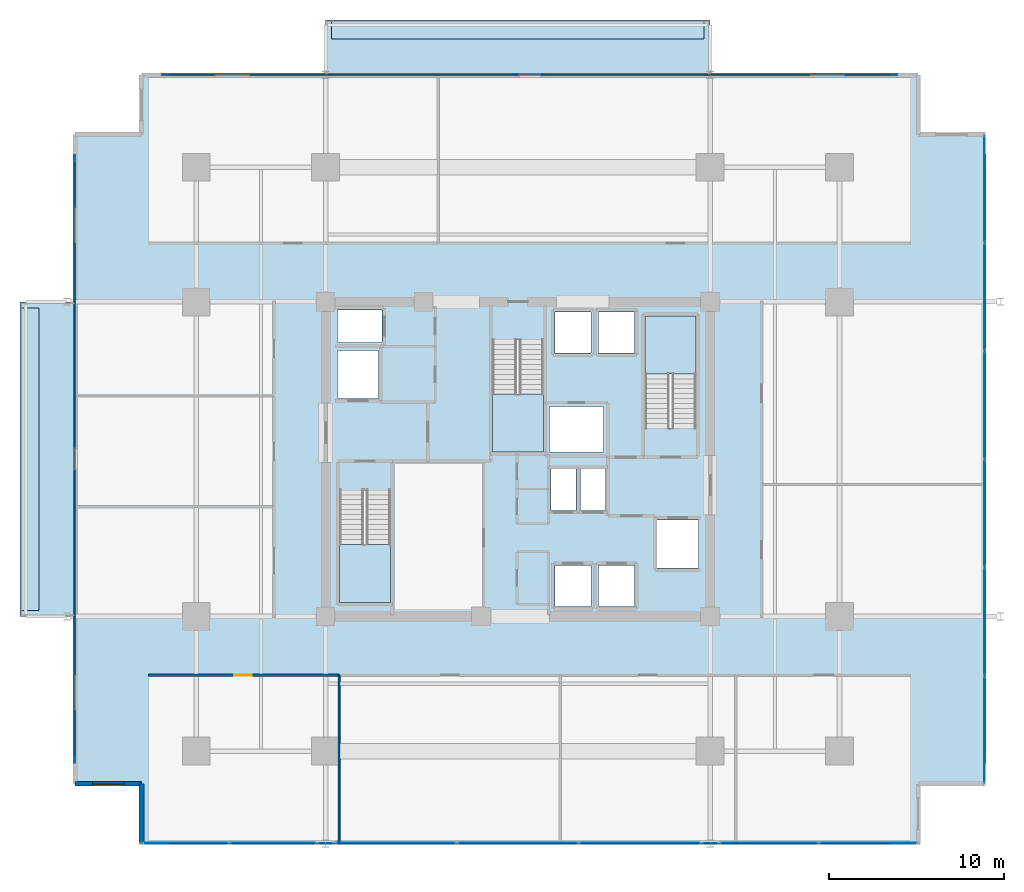
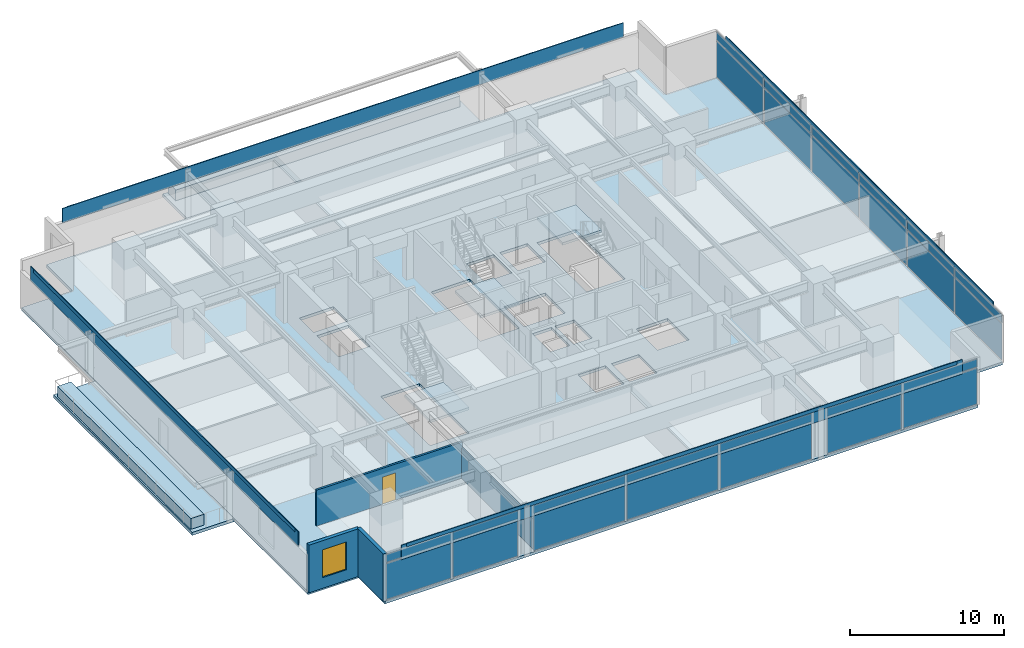
# One storey, part 12 of 20: 34 plates, 8 slabs, 4 walls, 1 door, 1 window, 2 openings, 7 elements without a shape of their own.
"""IFC4 building model written with IfcOpenShell, lengths in metres."""

from ifc_helpers import new_model, si_unit, direction, frame, frame_2d, origin, origin_2d, place, context, subcontext, project, spatial, polyline, rectangle, outline, extrude, material, layer, layer_set, type_object, element, fill, aggregate, save


model = new_model("IFC4")

# Units and contexts
model_context = context("Model", 3, precision=1e-05, world=origin(), true_north=direction((0.0, 1.0)))
body_context = subcontext(model_context, "Body", "Model", "MODEL_VIEW")
ifc_project = project(units=[si_unit("LENGTHUNIT", "METRE"), si_unit("AREAUNIT", "SQUARE_METRE"), si_unit("VOLUMEUNIT", "CUBIC_METRE"), si_unit("PLANEANGLEUNIT", "RADIAN"), si_unit("MASSUNIT", "GRAM", prefix="KILO")], contexts=[model_context])

# Site, building, storey
site_placement = place(None, origin())
site = spatial("IfcSite", under=ifc_project, at=site_placement, CompositionType="ELEMENT")
building_placement = place(site_placement, origin())
building = spatial("IfcBuilding", under=site, at=building_placement, Name="Kovane Verandah Tower", CompositionType="ELEMENT")
storey_placement = place(building_placement, frame((0.0, 0.0, 164.39990234375)))
storey = spatial("IfcBuildingStorey", under=building, at=storey_placement, Name="L38", CompositionType="ELEMENT", Elevation=164.39990234375)

# Curtain wall, plates
ifc_material_1 = material(Name="Champagne Anodised Aluminium Frame with Low-E Clear Laminated Glass", Category="aluminium")
curtain_wall_type = type_object("IfcCurtainWallType", Name="CW-SYS-03-MID", PredefinedType="NOTDEFINED", material=ifc_material_1)
curtain_wall_1_placement = place(storey_placement, origin())
curtain_wall_1 = element("IfcCurtainWall", 1, at=curtain_wall_1_placement, inside=storey, type_object=curtain_wall_type, Name="L38 S Unitised Curtain Wall-1", PredefinedType="NOTDEFINED")
ifc_material_2 = material(Name="Pale Champagne Anodised Aluminium Insulated Spandrel", Category="aluminium")
ifc_layer_1 = layer(ifc_material_2, 0.0400390625)
ifc_layer_set_1 = layer_set([ifc_layer_1], Name="Pale Champagne Anodised Aluminium Insulated Spandrel")
plate_type_1 = type_object("IfcPlateType", Name="PL-CW-SPD-40", PredefinedType="SHEET", material=ifc_layer_set_1)
plate_1_placement = place(storey_placement, frame((20.97021484375, 5.52685546875, 3.044921875), z_axis=(0.0, 0.0, 1.0), x_axis=(1.0, 0.0, 0.0)))
plate_1 = element("IfcPlate", 2, at=plate_1_placement, type_object=plate_type_1, Name="L38 S Unitised Curtain Wall-1 Spandrel Panel 1", PredefinedType="SHEET", context=body_context, shape_type="SweptSolid", body=[
    extrude(rectangle(XDim=4.866455078125, YDim=0.0400390625, at=origin_2d()), origin(), (0.0, 0.0, 1.0), 0.639892578125),
])
plate_2_placement = place(storey_placement, frame((25.976806640625, 5.52685546875, 3.044921875), z_axis=(0.0, 0.0, 1.0), x_axis=(1.0, 0.0, 0.0)))
plate_2 = element("IfcPlate", 3, at=plate_2_placement, type_object=plate_type_1, Name="L38 S Unitised Curtain Wall-1 Spandrel Panel 2", PredefinedType="SHEET", context=body_context, shape_type="SweptSolid", body=[
    extrude(rectangle(XDim=4.866455078125, YDim=0.0400390625, at=origin_2d()), origin(), (0.0, 0.0, 1.0), 0.639892578125),
])

curtain_wall_2_placement = place(storey_placement, origin())
curtain_wall_2 = element("IfcCurtainWall", 4, at=curtain_wall_2_placement, inside=storey, type_object=curtain_wall_type, Name="L38 S Unitised Curtain Wall-2", PredefinedType="NOTDEFINED")
plate_3_placement = place(storey_placement, frame((33.01318359375, 5.52685546875, 3.044921875), z_axis=(0.0, 0.0, 1.0), x_axis=(1.0, 0.0, 0.0)))
plate_3 = element("IfcPlate", 5, at=plate_3_placement, type_object=plate_type_1, Name="L38 S Unitised Curtain Wall-2 Spandrel Panel 1", PredefinedType="SHEET", context=body_context, shape_type="SweptSolid", body=[
    extrude(rectangle(XDim=6.8466796875, YDim=0.0400390625, at=origin_2d()), origin(), (0.0, 0.0, 1.0), 0.639892578125),
])
plate_4_placement = place(storey_placement, frame((40.0, 5.52685546875, 3.044921875), z_axis=(0.0, 0.0, 1.0), x_axis=(1.0, 0.0, 0.0)))
plate_4 = element("IfcPlate", 6, at=plate_4_placement, type_object=plate_type_1, Name="L38 S Unitised Curtain Wall-2 Spandrel Panel 2", PredefinedType="SHEET", context=body_context, shape_type="SweptSolid", body=[
    extrude(rectangle(XDim=6.8466796875, YDim=0.0400390625, at=origin_2d()), origin(), (0.0, 0.0, 1.0), 0.639892578125),
])
plate_5_placement = place(storey_placement, frame((46.98681640625, 5.52685546875, 3.044921875), z_axis=(0.0, 0.0, 1.0), x_axis=(1.0, 0.0, 0.0)))
plate_5 = element("IfcPlate", 7, at=plate_5_placement, type_object=plate_type_1, Name="L38 S Unitised Curtain Wall-2 Spandrel Panel 3", PredefinedType="SHEET", context=body_context, shape_type="SweptSolid", body=[
    extrude(rectangle(XDim=6.8466796875, YDim=0.0400390625, at=origin_2d()), origin(), (0.0, 0.0, 1.0), 0.639892578125),
])

curtain_wall_3_placement = place(storey_placement, origin())
curtain_wall_3 = element("IfcCurtainWall", 8, at=curtain_wall_3_placement, inside=storey, type_object=curtain_wall_type, Name="L38 S Unitised Curtain Wall-3", PredefinedType="NOTDEFINED")
plate_6_placement = place(storey_placement, frame((54.364501953125, 5.52685546875, 3.044921875), z_axis=(0.0, 0.0, 1.0), x_axis=(1.0, 0.0, 0.0)))
plate_6 = element("IfcPlate", 9, at=plate_6_placement, type_object=plate_type_1, Name="L38 S Unitised Curtain Wall-3 Spandrel Panel 1", PredefinedType="SHEET", context=body_context, shape_type="SweptSolid", body=[
    extrude(rectangle(XDim=5.549072265625, YDim=0.0400390625, at=origin_2d()), origin(), (0.0, 0.0, 1.0), 0.639892578125),
])
plate_7_placement = place(storey_placement, frame((60.053466796875, 5.52685546875, 3.044921875), z_axis=(0.0, 0.0, 1.0), x_axis=(1.0, 0.0, 0.0)))
plate_7 = element("IfcPlate", 10, at=plate_7_placement, type_object=plate_type_1, Name="L38 S Unitised Curtain Wall-3 Spandrel Panel 2", PredefinedType="SHEET", context=body_context, shape_type="SweptSolid", body=[
    extrude(rectangle(XDim=5.549072265625, YDim=0.0400390625, at=origin_2d()), origin(), (0.0, 0.0, 1.0), 0.639892578125),
])

curtain_wall_4_placement = place(storey_placement, origin())
curtain_wall_4 = element("IfcCurtainWall", 11, at=curtain_wall_4_placement, inside=storey, type_object=curtain_wall_type, Name="L38 E Unitised Curtain Wall", PredefinedType="NOTDEFINED")
plate_8_placement = place(storey_placement, frame((66.697998046875, 12.0224609375, 3.044921875), z_axis=(0.0, 0.0, 1.0), x_axis=(0.0, 1.0, 0.0)))
plate_8 = element("IfcPlate", 12, at=plate_8_placement, type_object=plate_type_1, Name="L38 E Unitised Curtain Wall Spandrel Panel 1", PredefinedType="SHEET", context=body_context, shape_type="SweptSolid", body=[
    extrude(rectangle(XDim=6.051025390625, YDim=0.0400390625, at=origin_2d()), origin(), (0.0, 0.0, 1.0), 0.639892578125),
])
plate_9_placement = place(storey_placement, frame((66.697998046875, 18.21337890625, 3.044921875), z_axis=(0.0, 0.0, 1.0), x_axis=(0.0, 1.0, 0.0)))
plate_9 = element("IfcPlate", 13, at=plate_9_placement, type_object=plate_type_1, Name="L38 E Unitised Curtain Wall Spandrel Panel 2", PredefinedType="SHEET", context=body_context, shape_type="SweptSolid", body=[
    extrude(rectangle(XDim=6.051025390625, YDim=0.0400390625, at=origin_2d()), origin(), (0.0, 0.0, 1.0), 0.639892578125),
])
plate_10_placement = place(storey_placement, frame((66.697998046875, 24.404541015625, 3.044921875), z_axis=(0.0, 0.0, 1.0), x_axis=(0.0, 1.0, 0.0)))
plate_10 = element("IfcPlate", 14, at=plate_10_placement, type_object=plate_type_1, Name="L38 E Unitised Curtain Wall Spandrel Panel 3", PredefinedType="SHEET", context=body_context, shape_type="SweptSolid", body=[
    extrude(rectangle(XDim=6.051025390625, YDim=0.0400390625, at=origin_2d()), origin(), (0.0, 0.0, 1.0), 0.639892578125),
])
plate_11_placement = place(storey_placement, frame((66.697998046875, 30.595458984375, 3.044921875), z_axis=(0.0, 0.0, 1.0), x_axis=(0.0, 1.0, 0.0)))
plate_11 = element("IfcPlate", 15, at=plate_11_placement, type_object=plate_type_1, Name="L38 E Unitised Curtain Wall Spandrel Panel 4", PredefinedType="SHEET", context=body_context, shape_type="SweptSolid", body=[
    extrude(rectangle(XDim=6.051025390625, YDim=0.0400390625, at=origin_2d()), origin(), (0.0, 0.0, 1.0), 0.639892578125),
])
plate_12_placement = place(storey_placement, frame((66.697998046875, 36.78662109375, 3.044921875), z_axis=(0.0, 0.0, 1.0), x_axis=(0.0, 1.0, 0.0)))
plate_12 = element("IfcPlate", 16, at=plate_12_placement, type_object=plate_type_1, Name="L38 E Unitised Curtain Wall Spandrel Panel 5", PredefinedType="SHEET", context=body_context, shape_type="SweptSolid", body=[
    extrude(rectangle(XDim=6.051025390625, YDim=0.0400390625, at=origin_2d()), origin(), (0.0, 0.0, 1.0), 0.639892578125),
])
plate_13_placement = place(storey_placement, frame((66.697998046875, 42.9775390625, 3.044921875), z_axis=(0.0, 0.0, 1.0), x_axis=(0.0, 1.0, 0.0)))
plate_13 = element("IfcPlate", 17, at=plate_13_placement, type_object=plate_type_1, Name="L38 E Unitised Curtain Wall Spandrel Panel 6", PredefinedType="SHEET", context=body_context, shape_type="SweptSolid", body=[
    extrude(rectangle(XDim=6.051025390625, YDim=0.0400390625, at=origin_2d()), origin(), (0.0, 0.0, 1.0), 0.639892578125),
])

# Plate
ifc_material_3 = material(Name="Clear Low-E Laminated Double Glazing", Category="glass")
ifc_layer_2 = layer(ifc_material_3, 0.031982421875)
ifc_layer_set_2 = layer_set([ifc_layer_2], Name="Clear Low-E Laminated Double Glazing")
plate_type_2 = type_object("IfcPlateType", Name="PL-CW-VIS-32", PredefinedType="CURTAIN_PANEL", material=ifc_layer_set_2)
plate_14_placement = place(storey_placement, frame((20.97021484375, 5.52685546875, 0.10009765625), z_axis=(0.0, 0.0, 1.0), x_axis=(1.0, 0.0, 0.0)))
plate_14 = element("IfcPlate", 18, at=plate_14_placement, type_object=plate_type_2, Name="L38 S Unitised Curtain Wall-1 Vision Panel 1", PredefinedType="CURTAIN_PANEL", context=body_context, shape_type="SweptSolid", body=[
    extrude(rectangle(XDim=4.866455078125, YDim=0.031982421875, at=origin_2d()), origin(), (0.0, 0.0, 1.0), 2.844970703125),
])

plate_15_placement = place(storey_placement, frame((25.976806640625, 5.52685546875, 0.10009765625), z_axis=(0.0, 0.0, 1.0), x_axis=(1.0, 0.0, 0.0)))
plate_15 = element("IfcPlate", 19, at=plate_15_placement, type_object=plate_type_2, Name="L38 S Unitised Curtain Wall-1 Vision Panel 2", PredefinedType="CURTAIN_PANEL", context=body_context, shape_type="SweptSolid", body=[
    extrude(rectangle(XDim=4.866455078125, YDim=0.031982421875, at=origin_2d()), origin(), (0.0, 0.0, 1.0), 2.844970703125),
])

aggregate(curtain_wall_1, [plate_14, plate_1, plate_15, plate_2])

plate_16_placement = place(storey_placement, frame((33.01318359375, 5.52685546875, 0.10009765625), z_axis=(0.0, 0.0, 1.0), x_axis=(1.0, 0.0, 0.0)))
plate_16 = element("IfcPlate", 20, at=plate_16_placement, type_object=plate_type_2, Name="L38 S Unitised Curtain Wall-2 Vision Panel 1", PredefinedType="CURTAIN_PANEL", context=body_context, shape_type="SweptSolid", body=[
    extrude(rectangle(XDim=6.8466796875, YDim=0.031982421875, at=origin_2d()), origin(), (0.0, 0.0, 1.0), 2.844970703125),
])

plate_17_placement = place(storey_placement, frame((40.0, 5.52685546875, 0.10009765625), z_axis=(0.0, 0.0, 1.0), x_axis=(1.0, 0.0, 0.0)))
plate_17 = element("IfcPlate", 21, at=plate_17_placement, type_object=plate_type_2, Name="L38 S Unitised Curtain Wall-2 Vision Panel 2", PredefinedType="CURTAIN_PANEL", context=body_context, shape_type="SweptSolid", body=[
    extrude(rectangle(XDim=6.8466796875, YDim=0.031982421875, at=origin_2d()), origin(), (0.0, 0.0, 1.0), 2.844970703125),
])

plate_18_placement = place(storey_placement, frame((46.98681640625, 5.52685546875, 0.10009765625), z_axis=(0.0, 0.0, 1.0), x_axis=(1.0, 0.0, 0.0)))
plate_18 = element("IfcPlate", 22, at=plate_18_placement, type_object=plate_type_2, Name="L38 S Unitised Curtain Wall-2 Vision Panel 3", PredefinedType="CURTAIN_PANEL", context=body_context, shape_type="SweptSolid", body=[
    extrude(rectangle(XDim=6.8466796875, YDim=0.031982421875, at=origin_2d()), origin(), (0.0, 0.0, 1.0), 2.844970703125),
])

aggregate(curtain_wall_2, [plate_16, plate_3, plate_17, plate_4, plate_18, plate_5])

plate_19_placement = place(storey_placement, frame((54.364501953125, 5.52685546875, 0.10009765625), z_axis=(0.0, 0.0, 1.0), x_axis=(1.0, 0.0, 0.0)))
plate_19 = element("IfcPlate", 23, at=plate_19_placement, type_object=plate_type_2, Name="L38 S Unitised Curtain Wall-3 Vision Panel 1", PredefinedType="CURTAIN_PANEL", context=body_context, shape_type="SweptSolid", body=[
    extrude(rectangle(XDim=5.549072265625, YDim=0.031982421875, at=origin_2d()), origin(), (0.0, 0.0, 1.0), 2.844970703125),
])

plate_20_placement = place(storey_placement, frame((60.053466796875, 5.52685546875, 0.10009765625), z_axis=(0.0, 0.0, 1.0), x_axis=(1.0, 0.0, 0.0)))
plate_20 = element("IfcPlate", 24, at=plate_20_placement, type_object=plate_type_2, Name="L38 S Unitised Curtain Wall-3 Vision Panel 2", PredefinedType="CURTAIN_PANEL", context=body_context, shape_type="SweptSolid", body=[
    extrude(rectangle(XDim=5.549072265625, YDim=0.031982421875, at=origin_2d()), origin(), (0.0, 0.0, 1.0), 2.844970703125),
])

aggregate(curtain_wall_3, [plate_19, plate_6, plate_20, plate_7])

plate_21_placement = place(storey_placement, frame((66.697998046875, 12.0224609375, 0.10009765625), z_axis=(0.0, 0.0, 1.0), x_axis=(0.0, 1.0, 0.0)))
plate_21 = element("IfcPlate", 25, at=plate_21_placement, type_object=plate_type_2, Name="L38 E Unitised Curtain Wall Vision Panel 1", PredefinedType="CURTAIN_PANEL", context=body_context, shape_type="SweptSolid", body=[
    extrude(rectangle(XDim=6.051025390625, YDim=0.031982421875, at=origin_2d()), origin(), (0.0, 0.0, 1.0), 2.844970703125),
])

plate_22_placement = place(storey_placement, frame((66.697998046875, 18.21337890625, 0.10009765625), z_axis=(0.0, 0.0, 1.0), x_axis=(0.0, 1.0, 0.0)))
plate_22 = element("IfcPlate", 26, at=plate_22_placement, type_object=plate_type_2, Name="L38 E Unitised Curtain Wall Vision Panel 2", PredefinedType="CURTAIN_PANEL", context=body_context, shape_type="SweptSolid", body=[
    extrude(rectangle(XDim=6.051025390625, YDim=0.031982421875, at=origin_2d()), origin(), (0.0, 0.0, 1.0), 2.844970703125),
])

plate_23_placement = place(storey_placement, frame((66.697998046875, 24.404541015625, 0.10009765625), z_axis=(0.0, 0.0, 1.0), x_axis=(0.0, 1.0, 0.0)))
plate_23 = element("IfcPlate", 27, at=plate_23_placement, type_object=plate_type_2, Name="L38 E Unitised Curtain Wall Vision Panel 3", PredefinedType="CURTAIN_PANEL", context=body_context, shape_type="SweptSolid", body=[
    extrude(rectangle(XDim=6.051025390625, YDim=0.031982421875, at=origin_2d()), origin(), (0.0, 0.0, 1.0), 2.844970703125),
])

plate_24_placement = place(storey_placement, frame((66.697998046875, 30.595458984375, 0.10009765625), z_axis=(0.0, 0.0, 1.0), x_axis=(0.0, 1.0, 0.0)))
plate_24 = element("IfcPlate", 28, at=plate_24_placement, type_object=plate_type_2, Name="L38 E Unitised Curtain Wall Vision Panel 4", PredefinedType="CURTAIN_PANEL", context=body_context, shape_type="SweptSolid", body=[
    extrude(rectangle(XDim=6.051025390625, YDim=0.031982421875, at=origin_2d()), origin(), (0.0, 0.0, 1.0), 2.844970703125),
])

plate_25_placement = place(storey_placement, frame((66.697998046875, 36.78662109375, 0.10009765625), z_axis=(0.0, 0.0, 1.0), x_axis=(0.0, 1.0, 0.0)))
plate_25 = element("IfcPlate", 29, at=plate_25_placement, type_object=plate_type_2, Name="L38 E Unitised Curtain Wall Vision Panel 5", PredefinedType="CURTAIN_PANEL", context=body_context, shape_type="SweptSolid", body=[
    extrude(rectangle(XDim=6.051025390625, YDim=0.031982421875, at=origin_2d()), origin(), (0.0, 0.0, 1.0), 2.844970703125),
])

plate_26_placement = place(storey_placement, frame((66.697998046875, 42.9775390625, 0.10009765625), z_axis=(0.0, 0.0, 1.0), x_axis=(0.0, 1.0, 0.0)))
plate_26 = element("IfcPlate", 30, at=plate_26_placement, type_object=plate_type_2, Name="L38 E Unitised Curtain Wall Vision Panel 6", PredefinedType="CURTAIN_PANEL", context=body_context, shape_type="SweptSolid", body=[
    extrude(rectangle(XDim=6.051025390625, YDim=0.031982421875, at=origin_2d()), origin(), (0.0, 0.0, 1.0), 2.844970703125),
])

aggregate(curtain_wall_4, [plate_21, plate_8, plate_22, plate_9, plate_23, plate_10, plate_24, plate_11, plate_25, plate_12, plate_26, plate_13])

# Plates
ifc_material_4 = material(Name="Perforated Pale Champagne Anodised Aluminium Solar Screen", Category="aluminium")
ifc_layer_3 = layer(ifc_material_4, 0.050048828125)
ifc_layer_set_3 = layer_set([ifc_layer_3], Name="Perforated Pale Champagne Anodised Aluminium Solar Screen")
plate_type_3 = type_object("IfcPlateType", Name="PL-SCREEN-50", PredefinedType="USERDEFINED", material=ifc_layer_set_3)
plate_27_placement = place(storey_placement, frame((40.6826171875, 5.511962890625, 2.875244140625), z_axis=(0.0, 0.0, 1.0), x_axis=(1.0, 0.0, 0.0)))
element("IfcPlate", 31, at=plate_27_placement, inside=storey, type_object=plate_type_3, Name="L38 S Perforated Champagne-Gold Solar Screen", ObjectType="SCREEN", PredefinedType="USERDEFINED", context=body_context, shape_type="SweptSolid", body=[
    extrude(rectangle(XDim=42.031005859375, YDim=0.050048828125, at=origin_2d()), origin(), (0.0, 0.0, 1.0), 1.14990234375),
])
plate_28_placement = place(storey_placement, frame((66.712890625, 27.5, 2.875244140625), z_axis=(0.0, 0.0, 1.0), x_axis=(0.0, 1.0, 0.0)))
element("IfcPlate", 32, at=plate_28_placement, inside=storey, type_object=plate_type_3, Name="L38 E Perforated Champagne-Gold Solar Screen", ObjectType="SCREEN", PredefinedType="USERDEFINED", context=body_context, shape_type="SweptSolid", body=[
    extrude(rectangle(XDim=34.74609375, YDim=0.050048828125, at=origin_2d()), origin(), (0.0, 0.0, 1.0), 1.14990234375),
])
plate_29_placement = place(storey_placement, frame((40.6826171875, 49.488037109375, 2.875244140625), z_axis=(0.0, 0.0, 1.0), x_axis=(-1.0, 0.0, 0.0)))
element("IfcPlate", 33, at=plate_29_placement, inside=storey, type_object=plate_type_3, Name="L38 N Perforated Champagne-Gold Solar Screen", ObjectType="SCREEN", PredefinedType="USERDEFINED", context=body_context, shape_type="SweptSolid", body=[
    extrude(rectangle(XDim=42.031005859375, YDim=0.050048828125, at=origin_2d()), origin(), (0.0, 0.0, 1.0), 1.14990234375),
])
plate_30_placement = place(storey_placement, frame((14.652099609375, 27.5, 2.875244140625), z_axis=(0.0, 0.0, 1.0), x_axis=(0.0, -1.0, 0.0)))
element("IfcPlate", 34, at=plate_30_placement, inside=storey, type_object=plate_type_3, Name="L38 W Perforated Champagne-Gold Solar Screen", ObjectType="SCREEN", PredefinedType="USERDEFINED", context=body_context, shape_type="SweptSolid", body=[
    extrude(rectangle(XDim=34.74609375, YDim=0.050048828125, at=origin_2d()), origin(), (0.0, 0.0, 1.0), 1.14990234375),
])
ifc_material_5 = material(Name="Extruded Pale-Bronze Aluminium Aerofoil Sunshade", Category="aluminium")
ifc_layer_4 = layer(ifc_material_5, 0.06005859375)
ifc_layer_set_4 = layer_set([ifc_layer_4], Name="Extruded Pale-Bronze Aluminium Aerofoil Sunshade")
plate_type_4 = type_object("IfcPlateType", Name="PL-SUNSHADE-60", PredefinedType="USERDEFINED", material=ifc_layer_set_4)
plate_31_placement = place(storey_placement, frame((40.6826171875, 5.5068359375, 3.7548828125), z_axis=(0.0, 0.0, 1.0), x_axis=(1.0, 0.0, 0.0)))
element("IfcPlate", 35, at=plate_31_placement, inside=storey, type_object=plate_type_4, Name="L38 S Subtropical Aerofoil Sunshade", ObjectType="SUNSHADE", PredefinedType="USERDEFINED", context=body_context, shape_type="SweptSolid", body=[
    extrude(rectangle(XDim=41.23095703125, YDim=0.06005859375, at=origin_2d()), origin(), (0.0, 0.0, 1.0), 0.280029296875),
])
plate_32_placement = place(storey_placement, frame((66.718017578125, 27.5, 3.7548828125), z_axis=(0.0, 0.0, 1.0), x_axis=(0.0, 1.0, 0.0)))
element("IfcPlate", 36, at=plate_32_placement, inside=storey, type_object=plate_type_4, Name="L38 E Subtropical Aerofoil Sunshade", ObjectType="SUNSHADE", PredefinedType="USERDEFINED", context=body_context, shape_type="SweptSolid", body=[
    extrude(rectangle(XDim=33.946044921875, YDim=0.06005859375, at=origin_2d()), origin(), (0.0, 0.0, 1.0), 0.280029296875),
])
plate_33_placement = place(storey_placement, frame((40.6826171875, 49.4931640625, 3.7548828125), z_axis=(0.0, 0.0, 1.0), x_axis=(-1.0, 0.0, 0.0)))
element("IfcPlate", 37, at=plate_33_placement, inside=storey, type_object=plate_type_4, Name="L38 N Subtropical Aerofoil Sunshade", ObjectType="SUNSHADE", PredefinedType="USERDEFINED", context=body_context, shape_type="SweptSolid", body=[
    extrude(rectangle(XDim=41.23095703125, YDim=0.06005859375, at=origin_2d()), origin(), (0.0, 0.0, 1.0), 0.280029296875),
])
plate_34_placement = place(storey_placement, frame((14.64697265625, 27.5, 3.7548828125), z_axis=(0.0, 0.0, 1.0), x_axis=(0.0, -1.0, 0.0)))
element("IfcPlate", 38, at=plate_34_placement, inside=storey, type_object=plate_type_4, Name="L38 W Subtropical Aerofoil Sunshade", ObjectType="SUNSHADE", PredefinedType="USERDEFINED", context=body_context, shape_type="SweptSolid", body=[
    extrude(rectangle(XDim=33.946044921875, YDim=0.06005859375, at=origin_2d()), origin(), (0.0, 0.0, 1.0), 0.280029296875),
])

# Slabs
ifc_material_6 = material(Name="Concrete C45/55", Category="concrete")
ifc_layer_5 = layer(ifc_material_6, 0.239990234375)
ifc_layer_set_5 = layer_set([ifc_layer_5], Name="Concrete C45/55")
slab_type_1 = type_object("IfcSlabType", Name="SL-BALC-240", PredefinedType="FLOOR", material=ifc_layer_set_5)
slab_1_placement = place(storey_placement, frame((0.0, 0.0, -0.239990234375)))
element("IfcSlab", 39, at=slab_1_placement, inside=storey, type_object=slab_type_1, Name="L38 N Planted Verandah Balcony Slab", PredefinedType="FLOOR", context=body_context, shape_type="SweptSolid", body=[
    extrude(outline(polyline([(29.0, 49.47314453125), (51.0, 49.47314453125), (51.0, 52.623046875), (29.0, 52.623046875), (29.0, 49.47314453125)])), origin(), (0.0, 0.0, 1.0), 0.239990234375),
])
slab_2_placement = place(storey_placement, frame((0.0, 0.0, -0.239990234375)))
element("IfcSlab", 40, at=slab_2_placement, inside=storey, type_object=slab_type_1, Name="L38 W Planted Verandah Balcony Slab", PredefinedType="FLOOR", context=body_context, shape_type="SweptSolid", body=[
    extrude(outline(polyline([(11.51708984375, 18.5), (14.6669921875, 18.5), (14.6669921875, 36.5), (11.51708984375, 36.5), (11.51708984375, 18.5)])), origin(), (0.0, 0.0, 1.0), 0.239990234375),
])

# Stair, slab
stair_type = type_object("IfcStairType", Name="ST-CORE-1380", PredefinedType="HALF_TURN_STAIR", material=ifc_material_6)
stair_1_placement = place(storey_placement, origin())
stair_1 = element("IfcStair", 41, at=stair_1_placement, inside=storey, type_object=stair_type, Name="L38 Exit Stair ST-01", PredefinedType="HALF_TURN_STAIR")
ifc_layer_6 = layer(ifc_material_6, 0.199951171875)
ifc_layer_set_6 = layer_set([ifc_layer_6], Name="Concrete C45/55")
slab_type_2 = type_object("IfcSlabType", Name="SL-LAND-200", PredefinedType="LANDING", material=ifc_layer_set_6)
slab_3_placement = place(storey_placement, frame((0.0, 0.0, 1.800048828125)))
slab_3 = element("IfcSlab", 42, at=slab_3_placement, type_object=slab_type_2, Name="ST-01 landing 1", PredefinedType="LANDING", context=body_context, shape_type="SweptSolid", body=[
    extrude(outline(polyline([(29.800048828125, 22.614990234375), (29.800048828125, 19.300048828125), (32.719970703125, 19.300048828125), (32.719970703125, 22.614990234375), (29.800048828125, 22.614990234375)])), origin(), (0.0, 0.0, 1.0), 0.199951171875),
])
aggregate(stair_1, [slab_3])

stair_2_placement = place(storey_placement, origin())
stair_2 = element("IfcStair", 43, at=stair_2_placement, inside=storey, type_object=stair_type, Name="L38 Exit Stair ST-02", PredefinedType="HALF_TURN_STAIR")
slab_4_placement = place(storey_placement, frame((0.0, 0.0, 1.800048828125)))
slab_4 = element("IfcSlab", 44, at=slab_4_placement, type_object=slab_type_2, Name="ST-02 landing 1", PredefinedType="LANDING", context=body_context, shape_type="SweptSolid", body=[
    extrude(outline(polyline([(50.199951171875, 32.385009765625), (50.199951171875, 35.699951171875), (47.280029296875, 35.699951171875), (47.280029296875, 32.385009765625), (50.199951171875, 32.385009765625)])), origin(), (0.0, 0.0, 1.0), 0.199951171875),
])
aggregate(stair_2, [slab_4])

stair_3_placement = place(storey_placement, origin())
stair_3 = element("IfcStair", 45, at=stair_3_placement, inside=storey, type_object=stair_type, Name="L38 Exit Stair ST-03", PredefinedType="HALF_TURN_STAIR")
slab_5_placement = place(storey_placement, frame((0.0, 0.0, 1.800048828125)))
slab_5 = element("IfcSlab", 46, at=slab_5_placement, type_object=slab_type_2, Name="ST-03 landing 1", PredefinedType="LANDING", context=body_context, shape_type="SweptSolid", body=[
    extrude(outline(polyline([(38.5400390625, 31.215087890625), (38.5400390625, 27.89990234375), (41.4599609375, 27.89990234375), (41.4599609375, 31.215087890625), (38.5400390625, 31.215087890625)])), origin(), (0.0, 0.0, 1.0), 0.199951171875),
])
aggregate(stair_3, [slab_5])

# Slabs
ifc_layer_7 = layer(ifc_material_6, 0.22509765625)
ifc_layer_set_7 = layer_set([ifc_layer_7], Name="Concrete C45/55")
slab_type_3 = type_object("IfcSlabType", Name="SL-MID-225", PredefinedType="FLOOR", material=ifc_layer_set_7)
slab_6_placement = place(storey_placement, frame((0.0, 0.0, -0.224853515625)))
element("IfcSlab", 47, at=slab_6_placement, inside=storey, type_object=slab_type_3, Name="L38 Structural Floor Slab", PredefinedType="FLOOR", context=body_context, shape_type="SweptSolid", body=[
    extrude(outline(polyline([(18.467041015625, 5.52685546875), (62.89794921875, 5.52685546875), (62.89794921875, 8.927001953125), (66.697998046875, 8.927001953125), (66.697998046875, 46.072998046875), (62.89794921875, 46.072998046875), (62.89794921875, 49.47314453125), (18.467041015625, 49.47314453125), (18.467041015625, 46.072998046875), (14.6669921875, 46.072998046875), (14.6669921875, 8.927001953125), (18.467041015625, 8.927001953125), (18.467041015625, 5.52685546875)]), holes=[polyline([(29.800048828125, 19.300048828125), (32.719970703125, 19.300048828125), (32.719970703125, 25.705078125), (29.800048828125, 25.705078125), (29.800048828125, 19.300048828125)]), polyline([(47.280029296875, 29.294921875), (50.199951171875, 29.294921875), (50.199951171875, 35.699951171875), (47.280029296875, 35.699951171875), (47.280029296875, 29.294921875)]), polyline([(38.5400390625, 27.89990234375), (41.4599609375, 27.89990234375), (41.4599609375, 34.304931640625), (38.5400390625, 34.304931640625), (38.5400390625, 27.89990234375)]), polyline([(29.669921875, 30.969970703125), (32.030029296875, 30.969970703125), (32.030029296875, 33.72998046875), (29.669921875, 33.72998046875), (29.669921875, 30.969970703125)]), polyline([(47.969970703125, 21.27001953125), (50.330078125, 21.27001953125), (50.330078125, 24.030029296875), (47.969970703125, 24.030029296875), (47.969970703125, 21.27001953125)]), polyline([(29.669921875, 34.169921875), (32.22998046875, 34.169921875), (32.22998046875, 36.030029296875), (29.669921875, 36.030029296875), (29.669921875, 34.169921875)]), polyline([(42.1201171875, 19.070068359375), (44.179931640625, 19.070068359375), (44.179931640625, 21.429931640625), (42.1201171875, 21.429931640625), (42.1201171875, 19.070068359375)]), polyline([(44.6201171875, 19.070068359375), (46.679931640625, 19.070068359375), (46.679931640625, 21.429931640625), (44.6201171875, 21.429931640625), (44.6201171875, 19.070068359375)]), polyline([(41.8798828125, 24.570068359375), (43.320068359375, 24.570068359375), (43.320068359375, 26.929931640625), (41.8798828125, 26.929931640625), (41.8798828125, 24.570068359375)]), polyline([(43.580078125, 24.570068359375), (45.0, 24.570068359375), (45.0, 26.929931640625), (43.580078125, 26.929931640625), (43.580078125, 24.570068359375)]), polyline([(42.1201171875, 33.570068359375), (44.179931640625, 33.570068359375), (44.179931640625, 35.929931640625), (42.1201171875, 35.929931640625), (42.1201171875, 33.570068359375)]), polyline([(44.6201171875, 33.570068359375), (46.679931640625, 33.570068359375), (46.679931640625, 35.929931640625), (44.6201171875, 35.929931640625), (44.6201171875, 33.570068359375)]), polyline([(41.800048828125, 27.89990234375), (44.89990234375, 27.89990234375), (44.89990234375, 30.5), (41.800048828125, 30.5), (41.800048828125, 27.89990234375)])]), origin(), (0.0, 0.0, 1.0), 0.224853515625),
])
ifc_material_7 = material(Name="Architectural Precast Concrete C45/55 Planter Trough", Category="concrete")
ifc_layer_8 = layer(ifc_material_7, 0.219970703125)
ifc_layer_set_8 = layer_set([ifc_layer_8], Name="Architectural Precast Concrete C45/55 Planter Trough")
slab_type_4 = type_object("IfcSlabType", Name="SL-PLANTER-220", PredefinedType="USERDEFINED", material=ifc_layer_set_8)
slab_7_placement = place(storey_placement, origin())
element("IfcSlab", 48, at=slab_7_placement, inside=storey, type_object=slab_type_4, Name="L38 N Structural Tree Planter", ObjectType="PLANTER", PredefinedType="USERDEFINED", context=body_context, shape_type="SweptSolid", body=[
    extrude(outline(polyline([(29.35009765625, 51.523193359375), (50.64990234375, 51.523193359375), (50.64990234375, 52.523193359375), (29.35009765625, 52.523193359375), (29.35009765625, 51.523193359375)])), origin(), (0.0, 0.0, 1.0), 0.85009765625),
])
slab_8_placement = place(storey_placement, origin())
element("IfcSlab", 49, at=slab_8_placement, inside=storey, type_object=slab_type_4, Name="L38 W Structural Tree Planter", ObjectType="PLANTER", PredefinedType="USERDEFINED", context=body_context, shape_type="SweptSolid", body=[
    extrude(outline(polyline([(11.616943359375, 18.85009765625), (12.616943359375, 18.85009765625), (12.616943359375, 36.14990234375), (11.616943359375, 36.14990234375), (11.616943359375, 18.85009765625)])), origin(), (0.0, 0.0, 1.0), 0.85009765625),
])

# Wall, opening, door
ifc_material_8 = material(Name="Fire-Rated Gypsum Stud Partition", Category="gypsum")
ifc_layer_9 = layer(ifc_material_8, 0.14990234375)
ifc_layer_set_9 = layer_set([ifc_layer_9], Name="Fire-Rated Gypsum Stud Partition")
wall_type_1 = type_object("IfcWallType", Name="WL-COR-150", PredefinedType="PARTITIONING", material=ifc_layer_set_9)
wall_1_placement = place(storey_placement, frame((18.866943359375, 15.14990234375, 0.0), z_axis=(0.0, 0.0, 1.0), x_axis=(1.0, 0.0, 0.0)))
wall_1 = element("IfcWall", 50, at=wall_1_placement, inside=storey, type_object=wall_type_1, Name="L38 Collaboration Hub S1 Corridor Partition", PredefinedType="PARTITIONING", context=body_context, shape_type="SweptSolid", body=[
    extrude(rectangle(XDim=10.907958984375, YDim=0.14990234375, at=frame_2d((5.4541015625, 0.0))), origin(), (0.0, 0.0, 1.0), 2.85009765625),
])
opening_1_placement = place(wall_1_placement, frame((4.9189453125, 0.0, 0.0)))
opening_1 = element("IfcOpeningElement", 51, at=opening_1_placement, cuts=wall_1, Name="Opening DR-L38-018", PredefinedType="OPENING", context=body_context, shape_type="SweptSolid", body=[
    extrude(rectangle(XDim=1.0, YDim=2.14990234375, at=frame_2d((0.5, 1.074951171875))), frame((0.0, 0.074951171875, 0.0), z_axis=(0.0, -1.0, 0.0), x_axis=(1.0, 0.0, 0.0)), (0.0, 0.0, 1.0), 0.14990234375),
])
ifc_material_9 = material(Name="FSC Spotted-Gum Timber Fire-Rated Office Door", Category="wood")
door_type = type_object("IfcDoorType", Name="DR-OFF-1000", OperationType="SINGLE_SWING_LEFT", PredefinedType="DOOR", material=ifc_material_9)
door_placement = place(opening_1_placement, origin())
door = element("IfcDoor", 52, at=door_placement, inside=storey, type_object=door_type, Name="L38 Collaboration Hub S1 Entrance Door", OperationType="SINGLE_SWING_LEFT", OverallHeight=2.14990234375, OverallWidth=1.0, PredefinedType="DOOR", context=body_context, shape_type="SweptSolid", body=[
    extrude(rectangle(XDim=1.0, YDim=2.14990234375, at=frame_2d((0.5, 1.074951171875))), frame((0.0, 0.02490234375, 0.0), z_axis=(0.0, -1.0, 0.0), x_axis=(1.0, 0.0, 0.0)), (0.0, 0.0, 1.0), 0.050048828125),
])
fill(opening_1, door)

# Wall
ifc_material_10 = material(Name="Acoustic Fire-Rated Gypsum Partition", Category="gypsum")
ifc_layer_10 = layer(ifc_material_10, 0.1201171875)
ifc_layer_set_10 = layer_set([ifc_layer_10], Name="Acoustic Fire-Rated Gypsum Partition")
wall_type_2 = type_object("IfcWallType", Name="WL-PART-120", PredefinedType="PARTITIONING", material=ifc_layer_set_10)
wall_2_placement = place(storey_placement, frame((29.77490234375, 5.626953125, 0.0), z_axis=(0.0, 0.0, 1.0), x_axis=(0.0, 1.0, 0.0)))
element("IfcWall", 53, at=wall_2_placement, inside=storey, type_object=wall_type_2, Name="L38 Collaboration Hub S1 Dividing Partition", PredefinedType="PARTITIONING", context=body_context, shape_type="SweptSolid", body=[
    extrude(rectangle(XDim=9.52294921875, YDim=0.1201171875, at=frame_2d((4.761474609375, 0.0))), origin(), (0.0, 0.0, 1.0), 2.405029296875),
])

# Wall, opening, window
ifc_material_11 = material(Name="Concrete C45/55 Insulated Spandrel Wall", Category="concrete")
ifc_layer_11 = layer(ifc_material_11, 0.260009765625)
ifc_layer_set_11 = layer_set([ifc_layer_11], Name="Concrete C45/55 Insulated Spandrel Wall")
wall_type_3 = type_object("IfcWallType", Name="WL-SPANDREL-260", PredefinedType="PARAPET", material=ifc_layer_set_11)
wall_3_placement = place(storey_placement, frame((14.6669921875, 8.927001953125, 0.0), z_axis=(0.0, 0.0, 1.0), x_axis=(1.0, 0.0, 0.0)))
wall_3 = element("IfcWall", 54, at=wall_3_placement, inside=storey, type_object=wall_type_3, Name="L38 SW Notch Cheek Wall 1", PredefinedType="PARAPET", context=body_context, shape_type="SweptSolid", body=[
    extrude(rectangle(XDim=3.800048828125, YDim=0.260009765625, at=frame_2d((1.89990234375, 0.0))), origin(), (0.0, 0.0, 1.0), 3.775146484375),
])
opening_2_placement = place(wall_3_placement, frame((1.0, 0.0, 0.85009765625)))
opening_2 = element("IfcOpeningElement", 55, at=opening_2_placement, cuts=wall_3, Name="Opening W-03", PredefinedType="OPENING", context=body_context, shape_type="SweptSolid", body=[
    extrude(rectangle(XDim=1.800048828125, YDim=2.199951171875, at=frame_2d((0.89990234375, 1.10009765625))), frame((0.0, 0.1298828125, 0.0), z_axis=(0.0, -1.0, 0.0), x_axis=(1.0, 0.0, 0.0)), (0.0, 0.0, 1.0), 0.260009765625),
])
ifc_material_12 = material(Name="Clear Low-E Laminated Double Glazing in Anodised Frame", Category="glass")
window_type = type_object("IfcWindowType", Name="WN-NOTCH-1800x2200", PartitioningType="SINGLE_PANEL", PredefinedType="WINDOW", material=ifc_material_12)
window_placement = place(opening_2_placement, origin())
window = element("IfcWindow", 56, at=window_placement, inside=storey, type_object=window_type, Name="L38 SW Re-Entrant Corner Operable Window", OverallHeight=2.199951171875, OverallWidth=1.800048828125, PartitioningType="SINGLE_PANEL", PredefinedType="WINDOW", context=body_context, shape_type="SweptSolid", body=[
    extrude(rectangle(XDim=1.800048828125, YDim=2.199951171875, at=frame_2d((0.89990234375, 1.10009765625))), frame((0.0, 0.030029296875, 0.0), z_axis=(0.0, -1.0, 0.0), x_axis=(1.0, 0.0, 0.0)), (0.0, 0.0, 1.0), 0.06005859375),
])
fill(opening_2, window)

# Wall
wall_4_placement = place(storey_placement, frame((18.467041015625, 8.927001953125, 0.0), z_axis=(0.0, 0.0, 1.0), x_axis=(0.0, -1.0, 0.0)))
element("IfcWall", 57, at=wall_4_placement, inside=storey, type_object=wall_type_3, Name="L38 SW Notch Cheek Wall 2", PredefinedType="PARAPET", context=body_context, shape_type="SweptSolid", body=[
    extrude(rectangle(XDim=3.400146484375, YDim=0.260009765625, at=frame_2d((1.7001953125, 0.0))), origin(), (0.0, 0.0, 1.0), 3.775146484375),
])

save(model, "model.ifc")
